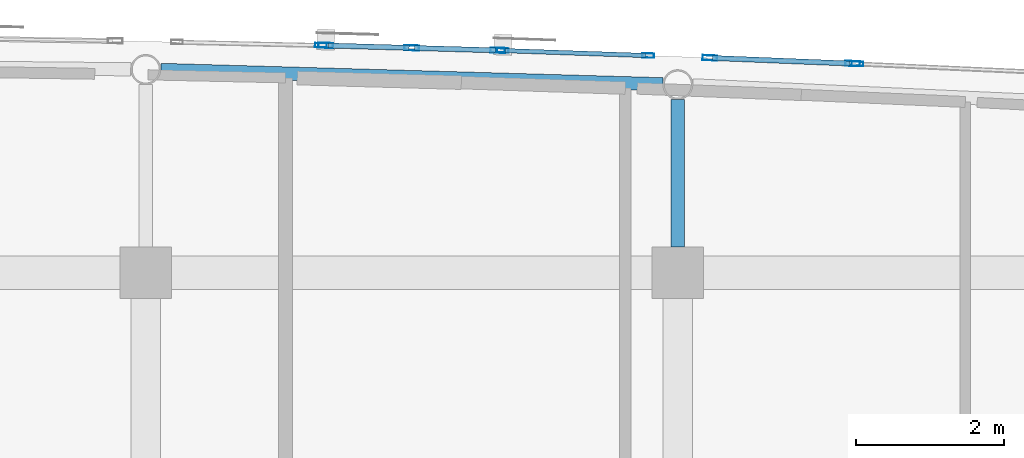
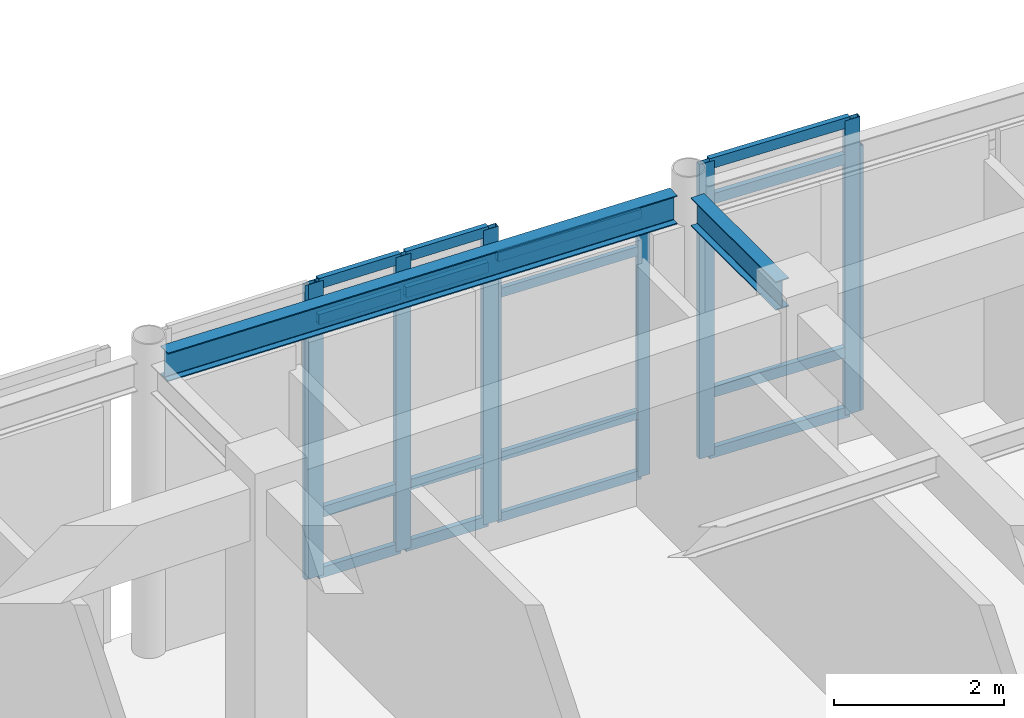
# One storey, part 41 of 106: 25 members, 2 beams, 5 elements without a shape of their own.
"""IFC4 building model written with IfcOpenShell, lengths in metres."""

import ifcopenshell
import ifcopenshell.guid

model = None  # the IFC model being written
_history = None  # IfcOwnerHistory: only IFC2X3 demands one
_inside = {}  # id of a spatial element -> (the spatial element, [elements in it])
_under = {}  # id of a project, library or spatial element -> (it, [spatial elements below it])
_declared = {}  # id of a project -> (the project, [libraries it declares])
_typed = {}  # id of a type object -> (the type object, [elements of that type])
_made_of = {}  # id of a material, layer set ... -> (it, [elements and type objects made of it])


def new_model(schema):
    """Start an empty IFC model of exactly this schema.

    Asked for "IFC4X3", IfcOpenShell would pick the latest addendum, in which some entities
    have other attributes; the version numbers below select the first issue.
    IFC2X3 requires an IfcOwnerHistory on every rooted entity: one is made here for all.
    """
    global model, _history
    if schema == "IFC4X3":
        model = ifcopenshell.file(schema_version=(4, 3, 0, 0))
    else:
        model = ifcopenshell.file(schema=schema)
    _inside.clear()
    _under.clear()
    _declared.clear()
    _typed.clear()
    _made_of.clear()
    _history = None
    if model.schema == "IFC2X3":
        org = make("IfcOrganization", Name="unknown")
        user = make(
            "IfcPersonAndOrganization",
            ThePerson=make("IfcPerson", FamilyName="unknown"),
            TheOrganization=org,
        )
        app = make(
            "IfcApplication",
            ApplicationDeveloper=org,
            Version="unknown",
            ApplicationFullName="unknown",
            ApplicationIdentifier="unknown",
        )
        _history = make(
            "IfcOwnerHistory",
            OwningUser=user,
            OwningApplication=app,
            ChangeAction="ADDED",
            CreationDate=0,
        )
    return model


def make(cls, **values):
    """One entity of the class cls with the attributes given. An attribute that is None is left unset."""
    return model.create_entity(
        cls, **{name: value for name, value in values.items() if value is not None}
    )


def rooted(cls, **values):
    """An entity with a GlobalId (a new one), such as an element, a storey or a relation."""
    return make(cls, GlobalId=ifcopenshell.guid.new(), OwnerHistory=_history, **values)


def si_unit(unit_type, name, prefix=None):
    """IfcSIUnit, for example si_unit("LENGTHUNIT", "METRE", prefix="MILLI")."""
    return make("IfcSIUnit", UnitType=unit_type, Prefix=prefix, Name=name)


def assignment(units):
    """IfcUnitAssignment: the units of a project."""
    return None if units is None else make("IfcUnitAssignment", Units=units)


def point(xyz):
    """IfcCartesianPoint."""
    return None if xyz is None else make("IfcCartesianPoint", Coordinates=xyz)


def direction(xyz):
    """IfcDirection."""
    return None if xyz is None else make("IfcDirection", DirectionRatios=xyz)


def frame(location, z_axis=None, x_axis=None):
    """IfcAxis2Placement3D, a coordinate frame: its origin and axes. An axis left out is left unset."""
    return make(
        "IfcAxis2Placement3D",
        Location=point(location),
        Axis=direction(z_axis),
        RefDirection=direction(x_axis),
    )


def frame_2d(location, x_axis=None):
    """IfcAxis2Placement2D, a coordinate frame in the plane: its origin and x axis."""
    return make(
        "IfcAxis2Placement2D", Location=point(location), RefDirection=direction(x_axis)
    )


def origin():
    """The frame at (0, 0, 0) with its axes left unset."""
    return frame((0.0, 0.0, 0.0))


def origin_2d():
    """The frame at (0, 0) in the plane with its x axis left unset."""
    return frame_2d((0.0, 0.0))


def place(relative_to, where):
    """IfcLocalPlacement: puts the frame where relative to a parent placement (None: the world)."""
    return make(
        "IfcLocalPlacement", PlacementRelTo=relative_to, RelativePlacement=where
    )


def context(
    kind, dimensions, precision=None, world=None, true_north=None, identifier=None
):
    """IfcGeometricRepresentationContext, for example the 3D "Model" context."""
    return make(
        "IfcGeometricRepresentationContext",
        ContextIdentifier=identifier,
        ContextType=kind,
        CoordinateSpaceDimension=dimensions,
        Precision=precision,
        WorldCoordinateSystem=world,
        TrueNorth=true_north,
    )


def subcontext(parent, identifier, kind, view, scale=None):
    """IfcGeometricRepresentationSubContext, for example "Body" below "Model"."""
    return make(
        "IfcGeometricRepresentationSubContext",
        ContextIdentifier=identifier,
        ContextType=kind,
        ParentContext=parent,
        TargetScale=scale,
        TargetView=view,
    )


def project(units=None, contexts=None):
    """IfcProject with its units and contexts."""
    return rooted(
        "IfcProject",
        Name="project",
        RepresentationContexts=contexts,
        UnitsInContext=assignment(units),
    )


def spatial(cls, under=None, at=None, **own):
    """A site, building, storey or space (cls), placed at a placement, below another one or the project."""
    s = rooted(cls, ObjectPlacement=at, **own)
    if under is not None:
        _under.setdefault(under.id(), (under, []))[1].append(s)
    return s


def profile(cls, at=None, kind="AREA", **sizes):
    """A parametric profile (cls). Its sizes go by their IFC names, for example OverallWidth=200.0."""
    return make(cls, ProfileType=kind, Position=at, **sizes)


def hollow_rectangle(**sizes):
    """IfcRectangleHollowProfileDef."""
    return profile("IfcRectangleHollowProfileDef", **sizes)


def i_section(**sizes):
    """IfcIShapeProfileDef."""
    return profile("IfcIShapeProfileDef", **sizes)


def extrude(swept, where, along, depth):
    """IfcExtrudedAreaSolid: the profile swept, set in the frame where, extruded along a direction by depth."""
    return make(
        "IfcExtrudedAreaSolid",
        SweptArea=swept,
        Position=where,
        ExtrudedDirection=direction(along),
        Depth=depth,
    )


def shape(context_of_items, identifier, shape_type, items):
    """IfcShapeRepresentation: the items that make up one representation, for example the "Body"."""
    return make(
        "IfcShapeRepresentation",
        ContextOfItems=context_of_items,
        RepresentationIdentifier=identifier,
        RepresentationType=shape_type,
        Items=items,
    )


def material(Name=None, Category=None):
    """IfcMaterial."""
    return make("IfcMaterial", Name=Name, Category=Category)


def layer(
    of_material, thickness, ventilated=None, Name=None, Category=None, Priority=None
):
    """IfcMaterialLayer: one layer of a wall or slab, of a material (None: an air gap)."""
    return make(
        "IfcMaterialLayer",
        Material=of_material,
        LayerThickness=thickness,
        IsVentilated=ventilated,
        Name=Name,
        Category=Category,
        Priority=Priority,
    )


def layer_set(layers, Name=None):
    """IfcMaterialLayerSet."""
    return make("IfcMaterialLayerSet", MaterialLayers=layers, LayerSetName=Name)


def material_profile(
    of_material, cross_section, Name=None, Category=None, Priority=None
):
    """IfcMaterialProfile: a cross section and its material."""
    return make(
        "IfcMaterialProfile",
        Name=Name,
        Material=of_material,
        Profile=cross_section,
        Priority=Priority,
        Category=Category,
    )


def profile_set(profiles, Name=None, composite=None):
    """IfcMaterialProfileSet."""
    return make(
        "IfcMaterialProfileSet",
        Name=Name,
        MaterialProfiles=profiles,
        CompositeProfile=composite,
    )


def made_of(thing, what):
    """Note that an element or type object is made of a material, layer set ...; save() writes the relation."""
    if what is not None:
        _made_of.setdefault(what.id(), (what, []))[1].append(thing)
    return thing


def type_object(cls, material=None, **own):
    """A type object (cls), such as IfcWallType, which elements share."""
    return made_of(rooted(cls, **own), material)


def element(
    cls,
    number,
    at=None,
    inside=None,
    cuts=None,
    type_object=None,
    material=None,
    context=None,
    identifier="Body",
    shape_type=None,
    held_by="IfcProductDefinitionShape",
    body=None,
    shapes=None,
    **own,
):
    """One element of the class cls, such as IfcWall. Its Tag is "e" and its number.

    at: its placement. inside: the storey or other place that contains it. cuts: it is an
    opening in that element (IfcRelVoidsElement). A single representation is given by context,
    identifier, shape_type and body (its items); several are given by shapes. held_by: the class
    of the entity that holds the representations. save() writes the other relations.
    """
    e = rooted(cls, Tag="e%d" % number, ObjectPlacement=at, **own)
    if body is not None:
        shapes = [shape(context, identifier, shape_type, body)]
    if shapes is not None:
        e.Representation = make(held_by, Representations=shapes)
    if inside is not None:
        _inside.setdefault(inside.id(), (inside, []))[1].append(e)
    if cuts is not None:
        rooted(
            "IfcRelVoidsElement", RelatingBuildingElement=cuts, RelatedOpeningElement=e
        )
    if type_object is not None:
        _typed.setdefault(type_object.id(), (type_object, []))[1].append(e)
    return made_of(e, material)


def aggregate(whole, parts):
    """IfcRelAggregates: a whole, such as a stair, and the parts it consists of."""
    return rooted("IfcRelAggregates", RelatingObject=whole, RelatedObjects=parts)


def save(model, path):
    """Write the relations noted so far, then the file.

    IfcRelAggregates (storeys below a building ...), IfcRelContainedInSpatialStructure (elements
    in a storey), IfcRelDefinesByType, IfcRelAssociatesMaterial and IfcRelDeclares: one each for
    every whole, place, type object, material and project.
    """
    for whole, parts in _under.values():
        aggregate(whole, parts)
    for where, things in _inside.values():
        rooted(
            "IfcRelContainedInSpatialStructure",
            RelatedElements=things,
            RelatingStructure=where,
        )
    for kind, things in _typed.values():
        rooted("IfcRelDefinesByType", RelatedObjects=things, RelatingType=kind)
    for what, things in _made_of.values():
        rooted("IfcRelAssociatesMaterial", RelatedObjects=things, RelatingMaterial=what)
    for by, libraries in _declared.values():
        rooted("IfcRelDeclares", RelatingContext=by, RelatedDefinitions=libraries)
    model.write(path)


model = new_model("IFC4")

# Units and contexts
model_context = context("Model", 3, precision=1e-05, world=origin(), true_north=direction((0.0, 1.0)))
body_context = subcontext(model_context, "Body", "Model", "MODEL_VIEW")
ifc_project = project(units=[si_unit("LENGTHUNIT", "METRE"), si_unit("AREAUNIT", "SQUARE_METRE"), si_unit("VOLUMEUNIT", "CUBIC_METRE"), si_unit("PLANEANGLEUNIT", "RADIAN"), si_unit("MASSUNIT", "GRAM", prefix="KILO")], contexts=[model_context])

# Site, building, storey
site_placement = place(None, origin())
site = spatial("IfcSite", under=ifc_project, at=site_placement, CompositionType="ELEMENT")
building_placement = place(site_placement, origin())
building = spatial("IfcBuilding", under=site, at=building_placement, Name="Carrowvane Square Congress Hotel", CompositionType="ELEMENT")
storey_placement = place(building_placement, frame((0.0, 0.0, 10.5)))
storey = spatial("IfcBuildingStorey", under=building, at=storey_placement, Name="L02", CompositionType="ELEMENT", Elevation=10.5)

# Beams
ifc_material_1 = material(Name="Steel S355", Category="steel")
ifc_material_profile_1 = material_profile(ifc_material_1, i_section(OverallWidth=0.1787109375, OverallDepth=0.409423828125, WebThickness=0.0087890625, FlangeThickness=0.014404296875, FilletRadius=0.01025390625, at=origin_2d()), Name="UKB 406x178x67")
ifc_profile_set_1 = profile_set([ifc_material_profile_1], Name="Steel S355")
beam_type = type_object("IfcBeamType", Name="BM-ST-UKB406", PredefinedType="BEAM", material=ifc_profile_set_1)
beam_1_placement = place(storey_placement, frame((105.403076171875, 116.14404296875, 4.015380859375), z_axis=(0.999591118992, -0.02859361522, 0.0), x_axis=(0.02859361522, 0.999591118992, 0.0)))
element("IfcBeam", 1, at=beam_1_placement, inside=storey, type_object=beam_type, Name="L03 curved north spandrel", PredefinedType="BEAM", context=body_context, shape_type="SweptSolid", body=[
    extrude(i_section(OverallWidth=0.1787109375, OverallDepth=0.409423828125, WebThickness=0.0087890625, FlangeThickness=0.014404296875, FilletRadius=0.01025390625, at=origin_2d()), origin(), (0.0, 0.0, 1.0), 6.79638671875),
])
beam_2_placement = place(storey_placement, frame((112.39990234375, 113.75, 4.015380859375), z_axis=(0.0, 1.0, 0.0), x_axis=(-1.0, 0.0, 0.0)))
element("IfcBeam", 2, at=beam_2_placement, inside=storey, type_object=beam_type, Name="L03 radial north beam 15", PredefinedType="BEAM", context=body_context, shape_type="SweptSolid", body=[
    extrude(i_section(OverallWidth=0.1787109375, OverallDepth=0.409423828125, WebThickness=0.0087890625, FlangeThickness=0.014404296875, FilletRadius=0.01025390625, at=origin_2d()), origin(), (0.0, 0.0, 1.0), 1.99072265625),
])

# Curtain wall, member
ifc_material_2 = material(Name="Anodised aluminium", Category="aluminium")
ifc_layer_1 = layer(ifc_material_2, 0.23388671875)
ifc_layer_set_1 = layer_set([ifc_layer_1], Name="Anodised aluminium")
curtain_wall_type_1 = type_object("IfcCurtainWallType", Name="CW-SYS-7", PredefinedType="NOTDEFINED", material=ifc_layer_set_1)
curtain_wall_1_placement = place(storey_placement, origin())
curtain_wall_1 = element("IfcCurtainWall", 3, at=curtain_wall_1_placement, inside=storey, type_object=curtain_wall_type_1, Name="L02 unitised curtain wall 158", PredefinedType="NOTDEFINED")
ifc_material_3 = material(Name="Anodised aluminium", Category="aluminium")
ifc_material_profile_2 = material_profile(ifc_material_3, hollow_rectangle(XDim=0.06005859375, YDim=0.159912109375, WallThickness=0.00390625, at=origin_2d()), Name="CW-ML 60x160x4")
ifc_profile_set_2 = profile_set([ifc_material_profile_2], Name="Anodised aluminium")
member_type_1 = type_object("IfcMemberType", Name="CW-MUL-1", PredefinedType="MULLION", material=ifc_profile_set_2)
member_1_placement = place(storey_placement, frame((107.570068359375, 116.476318359375, 0.0), z_axis=(0.0, 0.0, 1.0), x_axis=(0.022517686606, 0.99974644475, 0.0)))
member_1 = element("IfcMember", 4, at=member_1_placement, type_object=member_type_1, Name="CW-7 mullion 2", PredefinedType="MULLION", context=body_context, shape_type="SweptSolid", body=[
    extrude(hollow_rectangle(XDim=0.06005859375, YDim=0.159912109375, WallThickness=0.00390625, at=origin_2d()), origin(), (0.0, 0.0, 1.0), 4.219970703125),
])
aggregate(curtain_wall_1, [member_1])

# Curtain wall, members
ifc_material_4 = material(Name="Anodised aluminium", Category="aluminium")
ifc_layer_2 = layer(ifc_material_4, 0.162109375)
ifc_layer_set_2 = layer_set([ifc_layer_2], Name="Anodised aluminium")
curtain_wall_type_2 = type_object("IfcCurtainWallType", Name="CW-SYS-1", PredefinedType="NOTDEFINED", material=ifc_layer_set_2)
curtain_wall_2_placement = place(storey_placement, origin())
curtain_wall_2 = element("IfcCurtainWall", 5, at=curtain_wall_2_placement, inside=storey, type_object=curtain_wall_type_2, Name="L02 unitised curtain wall 160", PredefinedType="NOTDEFINED")
member_2_placement = place(storey_placement, frame((110.030029296875, 116.406005859375, 0.0), z_axis=(0.0, 0.0, 1.0), x_axis=(0.034529948347, 0.999403663525, 0.0)))
member_2 = element("IfcMember", 6, at=member_2_placement, type_object=member_type_1, Name="CW-1 mullion 1", PredefinedType="MULLION", context=body_context, shape_type="SweptSolid", body=[
    extrude(hollow_rectangle(XDim=0.06005859375, YDim=0.159912109375, WallThickness=0.00390625, at=origin_2d()), origin(), (0.0, 0.0, 1.0), 3.795654296875),
])
member_3_placement = place(storey_placement, frame((111.99951171875, 116.337890625, 0.0), z_axis=(0.0, 0.0, 1.0), x_axis=(0.034529948347, 0.999403663525, 0.0)))
member_3 = element("IfcMember", 7, at=member_3_placement, type_object=member_type_1, Name="CW-1 mullion 2", PredefinedType="MULLION", context=body_context, shape_type="SweptSolid", body=[
    extrude(hollow_rectangle(XDim=0.06005859375, YDim=0.159912109375, WallThickness=0.00390625, at=origin_2d()), origin(), (0.0, 0.0, 1.0), 3.795654296875),
])

# Curtain wall, member
ifc_material_5 = material(Name="Anodised aluminium", Category="aluminium")
ifc_layer_3 = layer(ifc_material_5, 0.18603515625)
ifc_layer_set_3 = layer_set([ifc_layer_3], Name="Anodised aluminium")
curtain_wall_type_3 = type_object("IfcCurtainWallType", Name="CW-SYS-3", PredefinedType="NOTDEFINED", material=ifc_layer_set_3)
curtain_wall_3_placement = place(storey_placement, origin())
curtain_wall_3 = element("IfcCurtainWall", 8, at=curtain_wall_3_placement, inside=storey, type_object=curtain_wall_type_3, Name="L02 unitised curtain wall 162", PredefinedType="NOTDEFINED")
member_4_placement = place(storey_placement, frame((114.830078125, 116.226318359375, 0.0), z_axis=(0.0, 0.0, 1.0), x_axis=(0.045411059449, 0.998968385726, 0.0)))
member_4 = element("IfcMember", 9, at=member_4_placement, type_object=member_type_1, Name="CW-3 mullion 1", PredefinedType="MULLION", context=body_context, shape_type="SweptSolid", body=[
    extrude(hollow_rectangle(XDim=0.06005859375, YDim=0.159912109375, WallThickness=0.00390625, at=origin_2d()), origin(), (0.0, 0.0, 1.0), 3.795654296875),
])
aggregate(curtain_wall_3, [member_4])

# Curtain wall, members
ifc_material_6 = material(Name="Anodised aluminium", Category="aluminium")
ifc_layer_4 = layer(ifc_material_6, 0.24609375)
ifc_layer_set_4 = layer_set([ifc_layer_4], Name="Anodised aluminium")
curtain_wall_type_4 = type_object("IfcCurtainWallType", Name="CW-SYS-8", PredefinedType="NOTDEFINED", material=ifc_layer_set_4)
curtain_wall_4_placement = place(storey_placement, origin())
curtain_wall_4 = element("IfcCurtainWall", 10, at=curtain_wall_4_placement, inside=storey, type_object=curtain_wall_type_4, Name="L02 unitised curtain wall 159", PredefinedType="NOTDEFINED")
ifc_material_7 = material(Name="Anodised aluminium", Category="aluminium")
ifc_material_profile_3 = material_profile(ifc_material_7, hollow_rectangle(XDim=0.070068359375, YDim=0.199951171875, WallThickness=0.0048828125, at=origin_2d()), Name="CW-ML 70x200x5")
ifc_profile_set_3 = profile_set([ifc_material_profile_3], Name="Anodised aluminium")
member_type_2 = type_object("IfcMemberType", Name="CW-MUL-2", PredefinedType="MULLION", material=ifc_profile_set_3)
member_5_placement = place(storey_placement, frame((107.635009765625, 116.474609375, 0.0), z_axis=(0.0, 0.0, 1.0), x_axis=(0.028638010501, 0.999589848065, 0.0)))
member_5 = element("IfcMember", 11, at=member_5_placement, type_object=member_type_2, Name="CW-8 mullion 1", PredefinedType="MULLION", context=body_context, shape_type="SweptSolid", body=[
    extrude(hollow_rectangle(XDim=0.070068359375, YDim=0.199951171875, WallThickness=0.0048828125, at=origin_2d()), origin(), (0.0, 0.0, 1.0), 4.219970703125),
])
member_6_placement = place(storey_placement, frame((108.800048828125, 116.44140625, 0.0), z_axis=(0.0, 0.0, 1.0), x_axis=(0.028638010501, 0.999589848065, 0.0)))
member_6 = element("IfcMember", 12, at=member_6_placement, type_object=member_type_2, Name="CW-8 mullion 2", PredefinedType="MULLION", context=body_context, shape_type="SweptSolid", body=[
    extrude(hollow_rectangle(XDim=0.070068359375, YDim=0.199951171875, WallThickness=0.0048828125, at=origin_2d()), origin(), (0.0, 0.0, 1.0), 4.219970703125),
])
member_7_placement = place(storey_placement, frame((109.965087890625, 116.407958984375, 0.0), z_axis=(0.0, 0.0, 1.0), x_axis=(0.028638010501, 0.999589848065, 0.0)))
member_7 = element("IfcMember", 13, at=member_7_placement, type_object=member_type_2, Name="CW-8 mullion 3", PredefinedType="MULLION", context=body_context, shape_type="SweptSolid", body=[
    extrude(hollow_rectangle(XDim=0.070068359375, YDim=0.199951171875, WallThickness=0.0048828125, at=origin_2d()), origin(), (0.0, 0.0, 1.0), 4.219970703125),
])

ifc_material_8 = material(Name="Anodised aluminium", Category="aluminium")
ifc_layer_5 = layer(ifc_material_8, 0.174072265625)
ifc_layer_set_5 = layer_set([ifc_layer_5], Name="Anodised aluminium")
curtain_wall_type_5 = type_object("IfcCurtainWallType", Name="CW-SYS-2", PredefinedType="NOTDEFINED", material=ifc_layer_set_5)
curtain_wall_5_placement = place(storey_placement, origin())
curtain_wall_5 = element("IfcCurtainWall", 14, at=curtain_wall_5_placement, inside=storey, type_object=curtain_wall_type_5, Name="L02 unitised curtain wall 161", PredefinedType="NOTDEFINED")
member_8_placement = place(storey_placement, frame((112.833740234375, 116.306640625, 0.0), z_axis=(0.0, 0.0, 1.0), x_axis=(0.040130957403, 0.999194428656, 0.0)))
member_8 = element("IfcMember", 15, at=member_8_placement, type_object=member_type_2, Name="CW-2 mullion 1", PredefinedType="MULLION", context=body_context, shape_type="SweptSolid", body=[
    extrude(hollow_rectangle(XDim=0.070068359375, YDim=0.199951171875, WallThickness=0.0048828125, at=origin_2d()), origin(), (0.0, 0.0, 1.0), 4.219970703125),
])
member_9_placement = place(storey_placement, frame((114.764892578125, 116.22900390625, 0.0), z_axis=(0.0, 0.0, 1.0), x_axis=(0.040130957403, 0.999194428656, 0.0)))
member_9 = element("IfcMember", 16, at=member_9_placement, type_object=member_type_2, Name="CW-2 mullion 2", PredefinedType="MULLION", context=body_context, shape_type="SweptSolid", body=[
    extrude(hollow_rectangle(XDim=0.070068359375, YDim=0.199951171875, WallThickness=0.0048828125, at=origin_2d()), origin(), (0.0, 0.0, 1.0), 4.219970703125),
])

# Member
ifc_material_9 = material(Name="Anodised aluminium", Category="aluminium")
ifc_material_profile_4 = material_profile(ifc_material_9, hollow_rectangle(XDim=0.06005859375, YDim=0.1298828125, WallThickness=0.00390625, at=origin_2d()), Name="CW-TR 60x130x4")
ifc_profile_set_4 = profile_set([ifc_material_profile_4], Name="Anodised aluminium")
member_type_3 = type_object("IfcMemberType", Name="CW-TRN-1", PredefinedType="USERDEFINED", material=ifc_profile_set_4)
member_10_placement = place(storey_placement, frame((110.06005859375, 116.40478515625, 0.030029296875), z_axis=(0.999404632698, -0.034501886054, 0.0), x_axis=(0.034501886054, 0.999404632698, 0.0)))
member_10 = element("IfcMember", 17, at=member_10_placement, type_object=member_type_3, Name="CW-1 transom 1.1", ObjectType="TRANSOM", PredefinedType="USERDEFINED", context=body_context, shape_type="SweptSolid", body=[
    extrude(hollow_rectangle(XDim=0.06005859375, YDim=0.1298828125, WallThickness=0.00390625, at=origin_2d()), origin(), (0.0, 0.0, 1.0), 1.91064453125),
])

member_11_placement = place(storey_placement, frame((110.06005859375, 116.40478515625, 0.89990234375), z_axis=(0.999404632698, -0.034501886054, 0.0), x_axis=(0.034501886054, 0.999404632698, 0.0)))
member_11 = element("IfcMember", 18, at=member_11_placement, type_object=member_type_3, Name="CW-1 transom 1.2", ObjectType="TRANSOM", PredefinedType="USERDEFINED", context=body_context, shape_type="SweptSolid", body=[
    extrude(hollow_rectangle(XDim=0.06005859375, YDim=0.1298828125, WallThickness=0.00390625, at=origin_2d()), origin(), (0.0, 0.0, 1.0), 1.91064453125),
])

member_12_placement = place(storey_placement, frame((110.06005859375, 116.40478515625, 3.24560546875), z_axis=(0.999404632698, -0.034501886054, 0.0), x_axis=(0.034501886054, 0.999404632698, 0.0)))
member_12 = element("IfcMember", 19, at=member_12_placement, type_object=member_type_3, Name="CW-1 transom 1.3", ObjectType="TRANSOM", PredefinedType="USERDEFINED", context=body_context, shape_type="SweptSolid", body=[
    extrude(hollow_rectangle(XDim=0.06005859375, YDim=0.1298828125, WallThickness=0.00390625, at=origin_2d()), origin(), (0.0, 0.0, 1.0), 1.91064453125),
])

member_13_placement = place(storey_placement, frame((110.06005859375, 116.40478515625, 3.765625), z_axis=(0.999404632698, -0.034501886054, 0.0), x_axis=(0.034501886054, 0.999404632698, 0.0)))
member_13 = element("IfcMember", 20, at=member_13_placement, type_object=member_type_3, Name="CW-1 transom 1.4", ObjectType="TRANSOM", PredefinedType="USERDEFINED", context=body_context, shape_type="SweptSolid", body=[
    extrude(hollow_rectangle(XDim=0.06005859375, YDim=0.1298828125, WallThickness=0.00390625, at=origin_2d()), origin(), (0.0, 0.0, 1.0), 1.91064453125),
])

aggregate(curtain_wall_2, [member_2, member_3, member_10, member_11, member_12, member_13])

ifc_material_10 = material(Name="Anodised aluminium", Category="aluminium")
ifc_material_profile_5 = material_profile(ifc_material_10, hollow_rectangle(XDim=0.070068359375, YDim=0.14990234375, WallThickness=0.0048828125, at=origin_2d()), Name="CW-TR 70x150x5")
ifc_profile_set_5 = profile_set([ifc_material_profile_5], Name="Anodised aluminium")
member_type_4 = type_object("IfcMemberType", Name="CW-TRN-2", PredefinedType="USERDEFINED", material=ifc_profile_set_5)
member_14_placement = place(storey_placement, frame((107.669921875, 116.4736328125, 0.034912109375), z_axis=(0.99959317623, -0.028521606455, 0.0), x_axis=(0.028521606455, 0.99959317623, 0.0)))
member_14 = element("IfcMember", 21, at=member_14_placement, type_object=member_type_4, Name="CW-8 transom 1.1", ObjectType="TRANSOM", PredefinedType="USERDEFINED", context=body_context, shape_type="SweptSolid", body=[
    extrude(hollow_rectangle(XDim=0.070068359375, YDim=0.14990234375, WallThickness=0.0048828125, at=origin_2d()), origin(), (0.0, 0.0, 1.0), 1.095703125),
])

member_15_placement = place(storey_placement, frame((107.669921875, 116.4736328125, 0.89990234375), z_axis=(0.99959317623, -0.028521606455, 0.0), x_axis=(0.028521606455, 0.99959317623, 0.0)))
member_15 = element("IfcMember", 22, at=member_15_placement, type_object=member_type_4, Name="CW-8 transom 1.2", ObjectType="TRANSOM", PredefinedType="USERDEFINED", context=body_context, shape_type="SweptSolid", body=[
    extrude(hollow_rectangle(XDim=0.070068359375, YDim=0.14990234375, WallThickness=0.0048828125, at=origin_2d()), origin(), (0.0, 0.0, 1.0), 1.095703125),
])

member_16_placement = place(storey_placement, frame((107.669921875, 116.4736328125, 3.669921875), z_axis=(0.99959317623, -0.028521606455, 0.0), x_axis=(0.028521606455, 0.99959317623, 0.0)))
member_16 = element("IfcMember", 23, at=member_16_placement, type_object=member_type_4, Name="CW-8 transom 1.3", ObjectType="TRANSOM", PredefinedType="USERDEFINED", context=body_context, shape_type="SweptSolid", body=[
    extrude(hollow_rectangle(XDim=0.070068359375, YDim=0.14990234375, WallThickness=0.0048828125, at=origin_2d()), origin(), (0.0, 0.0, 1.0), 1.095703125),
])

member_17_placement = place(storey_placement, frame((107.669921875, 116.4736328125, 4.18505859375), z_axis=(0.99959317623, -0.028521606455, 0.0), x_axis=(0.028521606455, 0.99959317623, 0.0)))
member_17 = element("IfcMember", 24, at=member_17_placement, type_object=member_type_4, Name="CW-8 transom 1.4", ObjectType="TRANSOM", PredefinedType="USERDEFINED", context=body_context, shape_type="SweptSolid", body=[
    extrude(hollow_rectangle(XDim=0.070068359375, YDim=0.14990234375, WallThickness=0.0048828125, at=origin_2d()), origin(), (0.0, 0.0, 1.0), 1.095703125),
])

member_18_placement = place(storey_placement, frame((108.8349609375, 116.4404296875, 0.034912109375), z_axis=(0.999586614567, -0.02875065179, 0.0), x_axis=(0.02875065179, 0.999586614567, 0.0)))
member_18 = element("IfcMember", 25, at=member_18_placement, type_object=member_type_4, Name="CW-8 transom 2.1", ObjectType="TRANSOM", PredefinedType="USERDEFINED", context=body_context, shape_type="SweptSolid", body=[
    extrude(hollow_rectangle(XDim=0.070068359375, YDim=0.14990234375, WallThickness=0.0048828125, at=origin_2d()), origin(), (0.0, 0.0, 1.0), 1.095458984375),
])

member_19_placement = place(storey_placement, frame((108.8349609375, 116.4404296875, 0.89990234375), z_axis=(0.999586614567, -0.02875065179, 0.0), x_axis=(0.02875065179, 0.999586614567, 0.0)))
member_19 = element("IfcMember", 26, at=member_19_placement, type_object=member_type_4, Name="CW-8 transom 2.2", ObjectType="TRANSOM", PredefinedType="USERDEFINED", context=body_context, shape_type="SweptSolid", body=[
    extrude(hollow_rectangle(XDim=0.070068359375, YDim=0.14990234375, WallThickness=0.0048828125, at=origin_2d()), origin(), (0.0, 0.0, 1.0), 1.095458984375),
])

member_20_placement = place(storey_placement, frame((108.8349609375, 116.4404296875, 3.669921875), z_axis=(0.999586614567, -0.02875065179, 0.0), x_axis=(0.02875065179, 0.999586614567, 0.0)))
member_20 = element("IfcMember", 27, at=member_20_placement, type_object=member_type_4, Name="CW-8 transom 2.3", ObjectType="TRANSOM", PredefinedType="USERDEFINED", context=body_context, shape_type="SweptSolid", body=[
    extrude(hollow_rectangle(XDim=0.070068359375, YDim=0.14990234375, WallThickness=0.0048828125, at=origin_2d()), origin(), (0.0, 0.0, 1.0), 1.095458984375),
])

member_21_placement = place(storey_placement, frame((108.8349609375, 116.4404296875, 4.18505859375), z_axis=(0.999586614567, -0.02875065179, 0.0), x_axis=(0.02875065179, 0.999586614567, 0.0)))
member_21 = element("IfcMember", 28, at=member_21_placement, type_object=member_type_4, Name="CW-8 transom 2.4", ObjectType="TRANSOM", PredefinedType="USERDEFINED", context=body_context, shape_type="SweptSolid", body=[
    extrude(hollow_rectangle(XDim=0.070068359375, YDim=0.14990234375, WallThickness=0.0048828125, at=origin_2d()), origin(), (0.0, 0.0, 1.0), 1.095458984375),
])

aggregate(curtain_wall_4, [member_5, member_6, member_7, member_14, member_15, member_16, member_17, member_18, member_19, member_20, member_21])

member_22_placement = place(storey_placement, frame((112.868896484375, 116.30517578125, 0.034912109375), z_axis=(0.999195295271, -0.040109374308, 0.0), x_axis=(0.040109374308, 0.999195295271, 0.0)))
member_22 = element("IfcMember", 29, at=member_22_placement, type_object=member_type_4, Name="CW-2 transom 1.1", ObjectType="TRANSOM", PredefinedType="USERDEFINED", context=body_context, shape_type="SweptSolid", body=[
    extrude(hollow_rectangle(XDim=0.070068359375, YDim=0.14990234375, WallThickness=0.0048828125, at=origin_2d()), origin(), (0.0, 0.0, 1.0), 1.862548828125),
])

member_23_placement = place(storey_placement, frame((112.868896484375, 116.30517578125, 0.89990234375), z_axis=(0.999195295271, -0.040109374308, 0.0), x_axis=(0.040109374308, 0.999195295271, 0.0)))
member_23 = element("IfcMember", 30, at=member_23_placement, type_object=member_type_4, Name="CW-2 transom 1.2", ObjectType="TRANSOM", PredefinedType="USERDEFINED", context=body_context, shape_type="SweptSolid", body=[
    extrude(hollow_rectangle(XDim=0.070068359375, YDim=0.14990234375, WallThickness=0.0048828125, at=origin_2d()), origin(), (0.0, 0.0, 1.0), 1.862548828125),
])

member_24_placement = place(storey_placement, frame((112.868896484375, 116.30517578125, 3.669921875), z_axis=(0.999195295271, -0.040109374308, 0.0), x_axis=(0.040109374308, 0.999195295271, 0.0)))
member_24 = element("IfcMember", 31, at=member_24_placement, type_object=member_type_4, Name="CW-2 transom 1.3", ObjectType="TRANSOM", PredefinedType="USERDEFINED", context=body_context, shape_type="SweptSolid", body=[
    extrude(hollow_rectangle(XDim=0.070068359375, YDim=0.14990234375, WallThickness=0.0048828125, at=origin_2d()), origin(), (0.0, 0.0, 1.0), 1.862548828125),
])

member_25_placement = place(storey_placement, frame((112.868896484375, 116.30517578125, 4.18505859375), z_axis=(0.999195295271, -0.040109374308, 0.0), x_axis=(0.040109374308, 0.999195295271, 0.0)))
member_25 = element("IfcMember", 32, at=member_25_placement, type_object=member_type_4, Name="CW-2 transom 1.4", ObjectType="TRANSOM", PredefinedType="USERDEFINED", context=body_context, shape_type="SweptSolid", body=[
    extrude(hollow_rectangle(XDim=0.070068359375, YDim=0.14990234375, WallThickness=0.0048828125, at=origin_2d()), origin(), (0.0, 0.0, 1.0), 1.862548828125),
])

aggregate(curtain_wall_5, [member_8, member_9, member_22, member_23, member_24, member_25])

save(model, "model.ifc")
